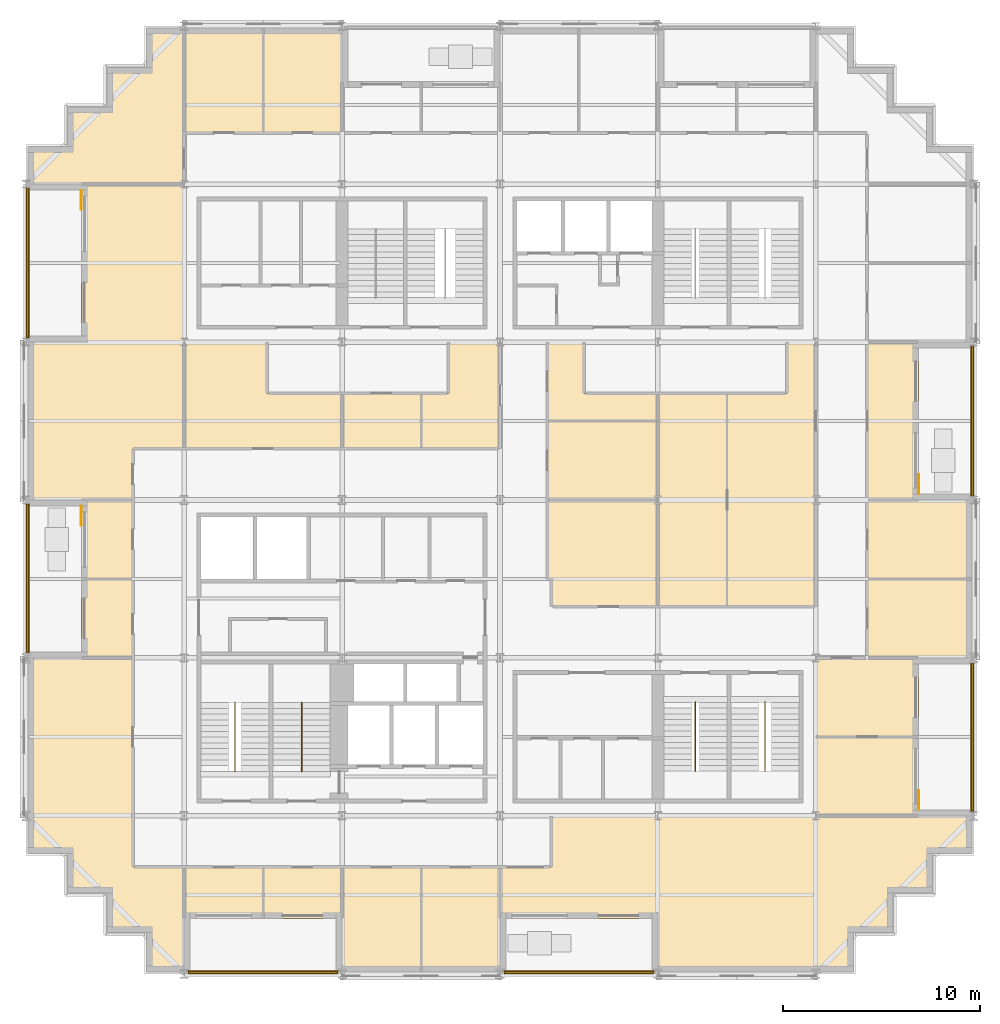
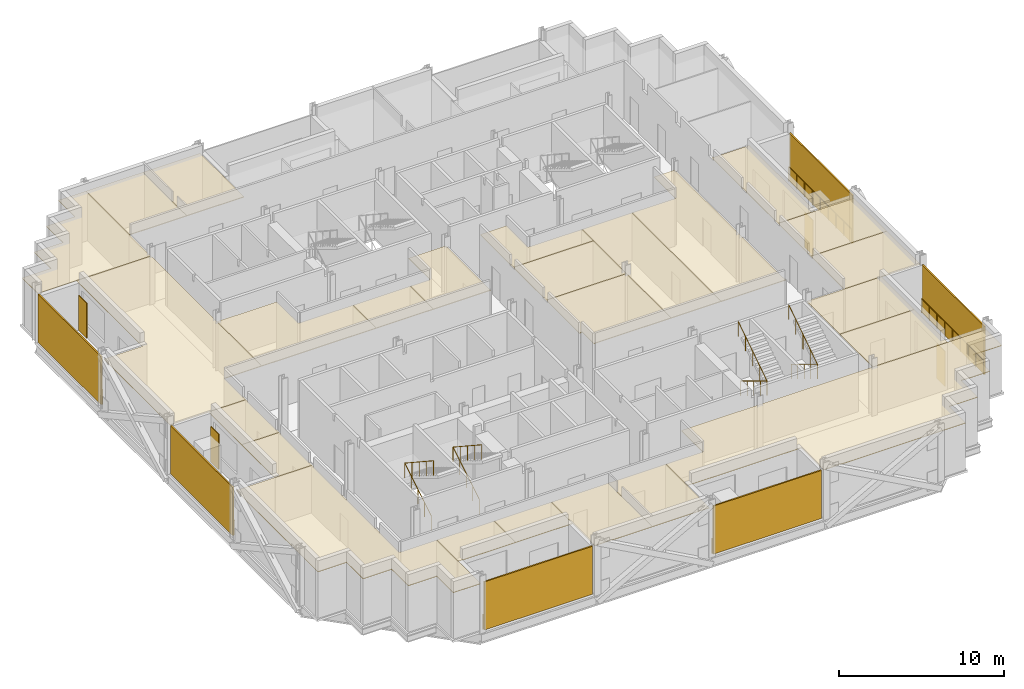
# One storey, part 13 of 15: 25 coverings, 10 railings, 10 shading devices.
"""IFC4 building model written with IfcOpenShell, lengths in metres."""

from ifc_helpers import new_model, si_unit, direction, frame, origin, origin_2d, place, context, subcontext, project, spatial, polyline, rectangle, circle, outline, extrude, material, layer, layer_set, type_object, element, save


model = new_model("IFC4")

# Units and contexts
model_context = context("Model", 3, precision=1e-05, world=origin(), true_north=direction((0.0, 1.0)))
body_context = subcontext(model_context, "Body", "Model", "MODEL_VIEW")
ifc_project = project(units=[si_unit("LENGTHUNIT", "METRE"), si_unit("AREAUNIT", "SQUARE_METRE"), si_unit("VOLUMEUNIT", "CUBIC_METRE"), si_unit("PLANEANGLEUNIT", "RADIAN"), si_unit("MASSUNIT", "GRAM", prefix="KILO")], contexts=[model_context])

# Site, building, storey
site_placement = place(None, origin())
site = spatial("IfcSite", under=ifc_project, at=site_placement, CompositionType="ELEMENT")
building_placement = place(site_placement, origin())
building = spatial("IfcBuilding", under=site, at=building_placement, Name="Immortelle Media Tower", CompositionType="ELEMENT")
storey_placement = place(building_placement, frame((0.0, 0.0, 105.199951171875)))
storey = spatial("IfcBuildingStorey", under=building, at=storey_placement, Name="L20", CompositionType="ELEMENT", Elevation=105.199951171875)

# Railings
ifc_material_1 = material(Name="Powder-coated aluminium fretwork panel, laminated glass backing", Category="aluminium")
railing_type_1 = type_object("IfcRailingType", Name="Fretwork balustrade 1100", PredefinedType="BALUSTRADE", material=ifc_material_1)
railing_1_placement = place(storey_placement, frame((0.139892578125, 39.806884765625, 0.0)))
element("IfcRailing", 1, at=railing_1_placement, inside=storey, type_object=railing_type_1, Name="Fretwork balustrade L20 W0", PredefinedType="BALUSTRADE", context=body_context, shape_type="SweptSolid", body=[
    extrude(circle(Radius=0.02490234375, at=origin_2d()), frame((0.0, 0.0, 1.0751953125), z_axis=(0.0, -1.0, 0.0), x_axis=(1.0, 0.0, 0.0)), (0.0, 0.0, 1.0), 7.598388671875),
    extrude(circle(Radius=0.02001953125, at=origin_2d()), origin(), (0.0, 0.0, 1.0), 1.050048828125),
    extrude(circle(Radius=0.02001953125, at=origin_2d()), frame((0.0, -0.94970703125, 0.0)), (0.0, 0.0, 1.0), 1.050048828125),
    extrude(circle(Radius=0.02001953125, at=origin_2d()), frame((0.0, -1.899658203125, 0.0)), (0.0, 0.0, 1.0), 1.050048828125),
    extrude(circle(Radius=0.02001953125, at=origin_2d()), frame((0.0, -2.849365234375, 0.0)), (0.0, 0.0, 1.0), 1.050048828125),
    extrude(circle(Radius=0.02001953125, at=origin_2d()), frame((0.0, -3.79931640625, 0.0)), (0.0, 0.0, 1.0), 1.050048828125),
    extrude(circle(Radius=0.02001953125, at=origin_2d()), frame((0.0, -4.7490234375, 0.0)), (0.0, 0.0, 1.0), 1.050048828125),
    extrude(circle(Radius=0.02001953125, at=origin_2d()), frame((0.0, -5.69873046875, 0.0)), (0.0, 0.0, 1.0), 1.050048828125),
    extrude(circle(Radius=0.02001953125, at=origin_2d()), frame((0.0, -6.648681640625, 0.0)), (0.0, 0.0, 1.0), 1.050048828125),
    extrude(circle(Radius=0.02001953125, at=origin_2d()), frame((0.0, -7.598388671875, 0.0)), (0.0, 0.0, 1.0), 1.050048828125),
])
railing_2_placement = place(storey_placement, frame((0.139892578125, 23.79150390625, 0.0)))
element("IfcRailing", 2, at=railing_2_placement, inside=storey, type_object=railing_type_1, Name="Fretwork balustrade L20 W2", PredefinedType="BALUSTRADE", context=body_context, shape_type="SweptSolid", body=[
    extrude(circle(Radius=0.02490234375, at=origin_2d()), frame((0.0, 0.0, 1.0751953125), z_axis=(0.0, -1.0, 0.0), x_axis=(1.0, 0.0, 0.0)), (0.0, 0.0, 1.0), 7.54248046875),
    extrude(circle(Radius=0.02001953125, at=origin_2d()), origin(), (0.0, 0.0, 1.0), 1.050048828125),
    extrude(circle(Radius=0.02001953125, at=origin_2d()), frame((0.0, -0.94287109375, 0.0)), (0.0, 0.0, 1.0), 1.050048828125),
    extrude(circle(Radius=0.02001953125, at=origin_2d()), frame((0.0, -1.8857421875, 0.0)), (0.0, 0.0, 1.0), 1.050048828125),
    extrude(circle(Radius=0.02001953125, at=origin_2d()), frame((0.0, -2.828369140625, 0.0)), (0.0, 0.0, 1.0), 1.050048828125),
    extrude(circle(Radius=0.02001953125, at=origin_2d()), frame((0.0, -3.771240234375, 0.0)), (0.0, 0.0, 1.0), 1.050048828125),
    extrude(circle(Radius=0.02001953125, at=origin_2d()), frame((0.0, -4.714111328125, 0.0)), (0.0, 0.0, 1.0), 1.050048828125),
    extrude(circle(Radius=0.02001953125, at=origin_2d()), frame((0.0, -5.65673828125, 0.0)), (0.0, 0.0, 1.0), 1.050048828125),
    extrude(circle(Radius=0.02001953125, at=origin_2d()), frame((0.0, -6.599609375, 0.0)), (0.0, 0.0, 1.0), 1.050048828125),
    extrude(circle(Radius=0.02001953125, at=origin_2d()), frame((0.0, -7.54248046875, 0.0)), (0.0, 0.0, 1.0), 1.050048828125),
])
railing_3_placement = place(storey_placement, frame((8.20947265625, 0.139892578125, 0.0)))
element("IfcRailing", 3, at=railing_3_placement, inside=storey, type_object=railing_type_1, Name="Fretwork balustrade L20 S0", PredefinedType="BALUSTRADE", context=body_context, shape_type="SweptSolid", body=[
    extrude(circle(Radius=0.02490234375, at=origin_2d()), frame((0.0, 0.0, 1.0751953125), z_axis=(1.0, 0.0, 0.0), x_axis=(0.0, 1.0, 0.0)), (0.0, 0.0, 1.0), 7.574462890625),
    extrude(circle(Radius=0.02001953125, at=origin_2d()), origin(), (0.0, 0.0, 1.0), 1.050048828125),
    extrude(circle(Radius=0.02001953125, at=origin_2d()), frame((0.94677734375, 0.0, 0.0)), (0.0, 0.0, 1.0), 1.050048828125),
    extrude(circle(Radius=0.02001953125, at=origin_2d()), frame((1.8935546875, 0.0, 0.0)), (0.0, 0.0, 1.0), 1.050048828125),
    extrude(circle(Radius=0.02001953125, at=origin_2d()), frame((2.84033203125, 0.0, 0.0)), (0.0, 0.0, 1.0), 1.050048828125),
    extrude(circle(Radius=0.02001953125, at=origin_2d()), frame((3.787109375, 0.0, 0.0)), (0.0, 0.0, 1.0), 1.050048828125),
    extrude(circle(Radius=0.02001953125, at=origin_2d()), frame((4.734130859375, 0.0, 0.0)), (0.0, 0.0, 1.0), 1.050048828125),
    extrude(circle(Radius=0.02001953125, at=origin_2d()), frame((5.680908203125, 0.0, 0.0)), (0.0, 0.0, 1.0), 1.050048828125),
    extrude(circle(Radius=0.02001953125, at=origin_2d()), frame((6.627685546875, 0.0, 0.0)), (0.0, 0.0, 1.0), 1.050048828125),
    extrude(circle(Radius=0.02001953125, at=origin_2d()), frame((7.574462890625, 0.0, 0.0)), (0.0, 0.0, 1.0), 1.050048828125),
])
railing_4_placement = place(storey_placement, frame((24.216064453125, 0.139892578125, 0.0)))
element("IfcRailing", 4, at=railing_4_placement, inside=storey, type_object=railing_type_1, Name="Fretwork balustrade L20 S2", PredefinedType="BALUSTRADE", context=body_context, shape_type="SweptSolid", body=[
    extrude(circle(Radius=0.02490234375, at=origin_2d()), frame((0.0, 0.0, 1.0751953125), z_axis=(1.0, 0.0, 0.0), x_axis=(0.0, 1.0, 0.0)), (0.0, 0.0, 1.0), 7.56787109375),
    extrude(circle(Radius=0.02001953125, at=origin_2d()), origin(), (0.0, 0.0, 1.0), 1.050048828125),
    extrude(circle(Radius=0.02001953125, at=origin_2d()), frame((0.946044921875, 0.0, 0.0)), (0.0, 0.0, 1.0), 1.050048828125),
    extrude(circle(Radius=0.02001953125, at=origin_2d()), frame((1.89208984375, 0.0, 0.0)), (0.0, 0.0, 1.0), 1.050048828125),
    extrude(circle(Radius=0.02001953125, at=origin_2d()), frame((2.837890625, 0.0, 0.0)), (0.0, 0.0, 1.0), 1.050048828125),
    extrude(circle(Radius=0.02001953125, at=origin_2d()), frame((3.783935546875, 0.0, 0.0)), (0.0, 0.0, 1.0), 1.050048828125),
    extrude(circle(Radius=0.02001953125, at=origin_2d()), frame((4.72998046875, 0.0, 0.0)), (0.0, 0.0, 1.0), 1.050048828125),
    extrude(circle(Radius=0.02001953125, at=origin_2d()), frame((5.67578125, 0.0, 0.0)), (0.0, 0.0, 1.0), 1.050048828125),
    extrude(circle(Radius=0.02001953125, at=origin_2d()), frame((6.621826171875, 0.0, 0.0)), (0.0, 0.0, 1.0), 1.050048828125),
    extrude(circle(Radius=0.02001953125, at=origin_2d()), frame((7.56787109375, 0.0, 0.0)), (0.0, 0.0, 1.0), 1.050048828125),
])
railing_5_placement = place(storey_placement, frame((47.860107421875, 8.2275390625, 0.0)))
element("IfcRailing", 5, at=railing_5_placement, inside=storey, type_object=railing_type_1, Name="Fretwork balustrade L20 E0", PredefinedType="BALUSTRADE", context=body_context, shape_type="SweptSolid", body=[
    extrude(circle(Radius=0.02490234375, at=origin_2d()), frame((0.0, 0.0, 1.0751953125), z_axis=(0.0, 1.0, 0.0), x_axis=(-1.0, 0.0, 0.0)), (0.0, 0.0, 1.0), 7.5234375),
    extrude(circle(Radius=0.02001953125, at=origin_2d()), origin(), (0.0, 0.0, 1.0), 1.050048828125),
    extrude(circle(Radius=0.02001953125, at=origin_2d()), frame((0.0, 0.9404296875, 0.0)), (0.0, 0.0, 1.0), 1.050048828125),
    extrude(circle(Radius=0.02001953125, at=origin_2d()), frame((0.0, 1.880859375, 0.0)), (0.0, 0.0, 1.0), 1.050048828125),
    extrude(circle(Radius=0.02001953125, at=origin_2d()), frame((0.0, 2.8212890625, 0.0)), (0.0, 0.0, 1.0), 1.050048828125),
    extrude(circle(Radius=0.02001953125, at=origin_2d()), frame((0.0, 3.76171875, 0.0)), (0.0, 0.0, 1.0), 1.050048828125),
    extrude(circle(Radius=0.02001953125, at=origin_2d()), frame((0.0, 4.7021484375, 0.0)), (0.0, 0.0, 1.0), 1.050048828125),
    extrude(circle(Radius=0.02001953125, at=origin_2d()), frame((0.0, 5.642578125, 0.0)), (0.0, 0.0, 1.0), 1.050048828125),
    extrude(circle(Radius=0.02001953125, at=origin_2d()), frame((0.0, 6.5830078125, 0.0)), (0.0, 0.0, 1.0), 1.050048828125),
    extrude(circle(Radius=0.02001953125, at=origin_2d()), frame((0.0, 7.5234375, 0.0)), (0.0, 0.0, 1.0), 1.050048828125),
])
railing_6_placement = place(storey_placement, frame((47.860107421875, 24.193115234375, 0.0)))
element("IfcRailing", 6, at=railing_6_placement, inside=storey, type_object=railing_type_1, Name="Fretwork balustrade L20 E2", PredefinedType="BALUSTRADE", context=body_context, shape_type="SweptSolid", body=[
    extrude(circle(Radius=0.02490234375, at=origin_2d()), frame((0.0, 0.0, 1.0751953125), z_axis=(0.0, 1.0, 0.0), x_axis=(-1.0, 0.0, 0.0)), (0.0, 0.0, 1.0), 7.61376953125),
    extrude(circle(Radius=0.02001953125, at=origin_2d()), origin(), (0.0, 0.0, 1.0), 1.050048828125),
    extrude(circle(Radius=0.02001953125, at=origin_2d()), frame((0.0, 0.95166015625, 0.0)), (0.0, 0.0, 1.0), 1.050048828125),
    extrude(circle(Radius=0.02001953125, at=origin_2d()), frame((0.0, 1.9033203125, 0.0)), (0.0, 0.0, 1.0), 1.050048828125),
    extrude(circle(Radius=0.02001953125, at=origin_2d()), frame((0.0, 2.855224609375, 0.0)), (0.0, 0.0, 1.0), 1.050048828125),
    extrude(circle(Radius=0.02001953125, at=origin_2d()), frame((0.0, 3.806884765625, 0.0)), (0.0, 0.0, 1.0), 1.050048828125),
    extrude(circle(Radius=0.02001953125, at=origin_2d()), frame((0.0, 4.758544921875, 0.0)), (0.0, 0.0, 1.0), 1.050048828125),
    extrude(circle(Radius=0.02001953125, at=origin_2d()), frame((0.0, 5.71044921875, 0.0)), (0.0, 0.0, 1.0), 1.050048828125),
    extrude(circle(Radius=0.02001953125, at=origin_2d()), frame((0.0, 6.662109375, 0.0)), (0.0, 0.0, 1.0), 1.050048828125),
    extrude(circle(Radius=0.02001953125, at=origin_2d()), frame((0.0, 7.61376953125, 0.0)), (0.0, 0.0, 1.0), 1.050048828125),
])

# Shading devices
ifc_material_2 = material(Name="Pale aluminium louvre blades", Category="aluminium")
ifc_layer_1 = layer(ifc_material_2, 0.10009765625)
ifc_layer_set_1 = layer_set([ifc_layer_1], Name="Pale aluminium louvre blades")
shading_device_type_1 = type_object("IfcShadingDeviceType", Name="Jalousie screen 100", PredefinedType="JALOUSIE", material=ifc_layer_set_1)
shading_device_1_placement = place(storey_placement, frame((0.050048828125, 36.0078125, 0.0), z_axis=(0.0, 0.0, 1.0), x_axis=(0.0, -1.0, 0.0)))
element("IfcShadingDevice", 7, at=shading_device_1_placement, inside=storey, type_object=shading_device_type_1, Name="Jalousie screen L20 W0", PredefinedType="JALOUSIE", context=body_context, shape_type="SweptSolid", body=[
    extrude(rectangle(XDim=7.598388671875, YDim=0.10009765625, at=origin_2d()), origin(), (0.0, 0.0, 1.0), 3.556884765625),
])
shading_device_2_placement = place(storey_placement, frame((0.050048828125, 20.020263671875, 0.0), z_axis=(0.0, 0.0, 1.0), x_axis=(0.0, -1.0, 0.0)))
element("IfcShadingDevice", 8, at=shading_device_2_placement, inside=storey, type_object=shading_device_type_1, Name="Jalousie screen L20 W2", PredefinedType="JALOUSIE", context=body_context, shape_type="SweptSolid", body=[
    extrude(rectangle(XDim=7.54248046875, YDim=0.10009765625, at=origin_2d()), origin(), (0.0, 0.0, 1.0), 3.556884765625),
])
shading_device_3_placement = place(storey_placement, frame((11.996826171875, 0.050048828125, 0.0), z_axis=(0.0, 0.0, 1.0), x_axis=(1.0, 0.0, 0.0)))
element("IfcShadingDevice", 9, at=shading_device_3_placement, inside=storey, type_object=shading_device_type_1, Name="Jalousie screen L20 S0", PredefinedType="JALOUSIE", context=body_context, shape_type="SweptSolid", body=[
    extrude(rectangle(XDim=7.574462890625, YDim=0.10009765625, at=origin_2d()), origin(), (0.0, 0.0, 1.0), 3.556884765625),
])
shading_device_4_placement = place(storey_placement, frame((28.0, 0.050048828125, 0.0), z_axis=(0.0, 0.0, 1.0), x_axis=(1.0, 0.0, 0.0)))
element("IfcShadingDevice", 10, at=shading_device_4_placement, inside=storey, type_object=shading_device_type_1, Name="Jalousie screen L20 S2", PredefinedType="JALOUSIE", context=body_context, shape_type="SweptSolid", body=[
    extrude(rectangle(XDim=7.568115234375, YDim=0.10009765625, at=origin_2d()), origin(), (0.0, 0.0, 1.0), 3.556884765625),
])
shading_device_5_placement = place(storey_placement, frame((47.949951171875, 11.9892578125, 0.0), z_axis=(0.0, 0.0, 1.0), x_axis=(0.0, 1.0, 0.0)))
element("IfcShadingDevice", 11, at=shading_device_5_placement, inside=storey, type_object=shading_device_type_1, Name="Jalousie screen L20 E0", PredefinedType="JALOUSIE", context=body_context, shape_type="SweptSolid", body=[
    extrude(rectangle(XDim=7.5234375, YDim=0.10009765625, at=origin_2d()), origin(), (0.0, 0.0, 1.0), 3.556884765625),
])
shading_device_6_placement = place(storey_placement, frame((47.949951171875, 28.0, 0.0), z_axis=(0.0, 0.0, 1.0), x_axis=(0.0, 1.0, 0.0)))
element("IfcShadingDevice", 12, at=shading_device_6_placement, inside=storey, type_object=shading_device_type_1, Name="Jalousie screen L20 E2", PredefinedType="JALOUSIE", context=body_context, shape_type="SweptSolid", body=[
    extrude(rectangle(XDim=7.614013671875, YDim=0.10009765625, at=origin_2d()), origin(), (0.0, 0.0, 1.0), 3.556884765625),
])
ifc_material_3 = material(Name="Pale aluminium louvre blades in a folding frame", Category="aluminium")
ifc_layer_2 = layer(ifc_material_3, 0.050048828125)
ifc_layer_set_2 = layer_set([ifc_layer_2], Name="Pale aluminium louvre blades in a folding frame")
shading_device_type_2 = type_object("IfcShadingDeviceType", Name="Louvred loggia shutter", PredefinedType="SHUTTER", material=ifc_layer_set_2)
for number, where, z_axis, x_axis, name in (
    (13, (2.77490234375, 39.199951171875, 0.0), (0.0, 0.0, 1.0), (0.0, -1.0, 0.0), "Loggia shutter L20 W0"),
    (14, (2.77490234375, 23.199951171875, 0.0), (0.0, 0.0, 1.0), (0.0, -1.0, 0.0), "Loggia shutter L20 W2"),
    (15, (45.22509765625, 8.800048828125, 0.0), (0.0, 0.0, 1.0), (0.0, 1.0, 0.0), "Loggia shutter L20 E0"),
    (16, (45.22509765625, 24.800048828125, 0.0), (0.0, 0.0, 1.0), (0.0, 1.0, 0.0), "Loggia shutter L20 E2"),
):
    element("IfcShadingDevice", number, at=place(storey_placement, frame(where, z_axis=z_axis, x_axis=x_axis)), inside=storey, type_object=shading_device_type_2, Name=name, PredefinedType="SHUTTER", context=body_context, shape_type="SweptSolid", body=[
        extrude(rectangle(XDim=1.0, YDim=0.050048828125, at=origin_2d()), origin(), (0.0, 0.0, 1.0), 2.60009765625),
    ])

# Railings
ifc_material_4 = material(Name="Stainless steel AISI 316", Category="steel")
railing_type_2 = type_object("IfcRailingType", Name="Stair guard 1100", PredefinedType="GUARDRAIL", material=ifc_material_4)
for number, where, name in (
    (17, (10.574951171875, 10.5400390625, 0.176025390625), "Stair guard SW1"),
    (18, (13.949951171875, 10.5400390625, 0.176025390625), "Stair guard SW2"),
):
    element("IfcRailing", number, at=place(storey_placement, frame(where)), inside=storey, type_object=railing_type_2, Name=name, PredefinedType="GUARDRAIL", context=body_context, shape_type="SweptSolid", body=[
        extrude(circle(Radius=0.02392578125, at=origin_2d()), frame((0.0, 0.0, 1.076171875), z_axis=(0.0, 0.854872504309, 0.518838126371), x_axis=(-1.0, 0.0, 0.0)), (0.0, 0.0, 1.0), 3.7314453125),
        extrude(circle(Radius=0.02392578125, at=origin_2d()), frame((0.0, 3.18994140625, 3.01220703125), z_axis=(0.0, -0.835568629342, 0.549386080693), x_axis=(1.0, 0.0, 0.0)), (0.0, 0.0, 1.0), 4.164794921875),
        extrude(circle(Radius=0.02099609375, at=origin_2d()), origin(), (0.0, 0.0, 1.0), 1.052001953125),
        extrude(circle(Radius=0.02099609375, at=origin_2d()), frame((0.0, 0.79736328125, 0.48388671875)), (0.0, 0.0, 1.0), 1.052001953125),
        extrude(circle(Radius=0.02099609375, at=origin_2d()), frame((0.0, 1.594970703125, 0.968017578125)), (0.0, 0.0, 1.0), 1.052001953125),
        extrude(circle(Radius=0.02099609375, at=origin_2d()), frame((0.0, 2.392578125, 1.4521484375)), (0.0, 0.0, 1.0), 1.052001953125),
        extrude(circle(Radius=0.02099609375, at=origin_2d()), frame((0.0, 3.18994140625, 1.93603515625)), (0.0, 0.0, 1.0), 1.052001953125),
        extrude(circle(Radius=0.02099609375, at=origin_2d()), frame((0.0, 2.31982421875, 2.508056640625)), (0.0, 0.0, 1.0), 1.052001953125),
        extrude(circle(Radius=0.02099609375, at=origin_2d()), frame((0.0, 1.449951171875, 3.080078125)), (0.0, 0.0, 1.0), 1.052001953125),
        extrude(circle(Radius=0.02099609375, at=origin_2d()), frame((0.0, 0.580078125, 3.652099609375)), (0.0, 0.0, 1.0), 1.052001953125),
        extrude(circle(Radius=0.02099609375, at=origin_2d()), frame((0.0, -0.2900390625, 4.22412109375)), (0.0, 0.0, 1.0), 1.052001953125),
    ])
for number, where, name in (
    (19, (33.89990234375, 13.4599609375, 0.176025390625), "Stair guard SE1"),
    (20, (37.425048828125, 13.4599609375, 0.176025390625), "Stair guard SE2"),
):
    element("IfcRailing", number, at=place(storey_placement, frame(where)), inside=storey, type_object=railing_type_2, Name=name, PredefinedType="GUARDRAIL", context=body_context, shape_type="SweptSolid", body=[
        extrude(circle(Radius=0.02392578125, at=origin_2d()), frame((0.0, 0.0, 1.076171875), z_axis=(0.0, -0.854872504309, 0.518838126371), x_axis=(1.0, 0.0, 0.0)), (0.0, 0.0, 1.0), 3.7314453125),
        extrude(circle(Radius=0.02392578125, at=origin_2d()), frame((0.0, -3.18994140625, 3.01220703125), z_axis=(0.0, 0.835568629342, 0.549386080693), x_axis=(-1.0, 0.0, 0.0)), (0.0, 0.0, 1.0), 4.164794921875),
        extrude(circle(Radius=0.02099609375, at=origin_2d()), origin(), (0.0, 0.0, 1.0), 1.052001953125),
        extrude(circle(Radius=0.02099609375, at=origin_2d()), frame((0.0, -0.79736328125, 0.48388671875)), (0.0, 0.0, 1.0), 1.052001953125),
        extrude(circle(Radius=0.02099609375, at=origin_2d()), frame((0.0, -1.594970703125, 0.968017578125)), (0.0, 0.0, 1.0), 1.052001953125),
        extrude(circle(Radius=0.02099609375, at=origin_2d()), frame((0.0, -2.392578125, 1.4521484375)), (0.0, 0.0, 1.0), 1.052001953125),
        extrude(circle(Radius=0.02099609375, at=origin_2d()), frame((0.0, -3.18994140625, 1.93603515625)), (0.0, 0.0, 1.0), 1.052001953125),
        extrude(circle(Radius=0.02099609375, at=origin_2d()), frame((0.0, -2.31982421875, 2.508056640625)), (0.0, 0.0, 1.0), 1.052001953125),
        extrude(circle(Radius=0.02099609375, at=origin_2d()), frame((0.0, -1.449951171875, 3.080078125)), (0.0, 0.0, 1.0), 1.052001953125),
        extrude(circle(Radius=0.02099609375, at=origin_2d()), frame((0.0, -0.580078125, 3.652099609375)), (0.0, 0.0, 1.0), 1.052001953125),
        extrude(circle(Radius=0.02099609375, at=origin_2d()), frame((0.0, 0.2900390625, 4.22412109375)), (0.0, 0.0, 1.0), 1.052001953125),
    ])

# Coverings
ifc_material_5 = material(Name="Mineral fibre tile ceiling")
ifc_layer_3 = layer(ifc_material_5, 0.050048828125)
ifc_layer_set_3 = layer_set([ifc_layer_3], Name="Mineral fibre tile ceiling")
covering_type = type_object("IfcCoveringType", Name="Suspended ceiling 50", PredefinedType="CEILING", material=ifc_layer_set_3)
covering_1_placement = place(storey_placement, frame((0.0, 0.0, 3.420166015625)))
element("IfcCovering", 21, at=covering_1_placement, inside=storey, type_object=covering_type, Name="Ceiling L20-001", PredefinedType="CEILING", context=body_context, shape_type="SweptSolid", body=[
    extrude(outline(polyline([(16.0, 2.800048828125), (16.0, 5.39990234375), (20.0, 5.39990234375), (20.0, 0.10009765625), (16.0, 0.10009765625), (16.0, 2.800048828125)])), origin(), (0.0, 0.0, 1.0), 0.0498046875),
])
covering_2_placement = place(storey_placement, frame((0.0, 0.0, 3.420166015625)))
element("IfcCovering", 22, at=covering_2_placement, inside=storey, type_object=covering_type, Name="Ceiling L20-002", PredefinedType="CEILING", context=body_context, shape_type="SweptSolid", body=[
    extrude(outline(polyline([(24.0, 5.39990234375), (24.0, 2.800048828125), (24.0, 0.10009765625), (20.0, 0.10009765625), (20.0, 5.39990234375), (24.0, 5.39990234375)])), origin(), (0.0, 0.0, 1.0), 0.0498046875),
])
covering_3_placement = place(storey_placement, frame((0.0, 0.0, 3.420166015625)))
element("IfcCovering", 23, at=covering_3_placement, inside=storey, type_object=covering_type, Name="Ceiling L20-003", PredefinedType="CEILING", context=body_context, shape_type="SweptSolid", body=[
    extrude(outline(polyline([(8.0, 5.39990234375), (12.0, 5.39990234375), (12.0, 2.800048828125), (8.0, 2.800048828125), (8.0, 5.39990234375)])), origin(), (0.0, 0.0, 1.0), 0.0498046875),
])
covering_4_placement = place(storey_placement, frame((0.0, 0.0, 3.420166015625)))
element("IfcCovering", 24, at=covering_4_placement, inside=storey, type_object=covering_type, Name="Ceiling L20-004", PredefinedType="CEILING", context=body_context, shape_type="SweptSolid", body=[
    extrude(outline(polyline([(16.0, 5.39990234375), (16.0, 2.800048828125), (12.0, 2.800048828125), (12.0, 5.39990234375), (16.0, 5.39990234375)])), origin(), (0.0, 0.0, 1.0), 0.0498046875),
])
covering_5_placement = place(storey_placement, frame((0.0, 0.0, 3.420166015625)))
element("IfcCovering", 25, at=covering_5_placement, inside=storey, type_object=covering_type, Name="Ceiling L20-005", PredefinedType="CEILING", context=body_context, shape_type="SweptSolid", body=[
    extrude(outline(polyline([(24.0, 2.800048828125), (24.0, 5.39990234375), (26.60009765625, 5.39990234375), (26.60009765625, 8.0), (32.0, 8.0), (40.0, 8.0), (45.199951171875, 8.0), (47.89990234375, 8.0), (47.89990234375, 6.10009765625), (45.89990234375, 6.10009765625), (45.89990234375, 4.10009765625), (43.89990234375, 4.10009765625), (43.89990234375, 2.10009765625), (41.89990234375, 2.10009765625), (41.89990234375, 0.10009765625), (40.0, 0.10009765625), (32.0, 0.10009765625), (32.0, 2.800048828125), (24.0, 2.800048828125)])), origin(), (0.0, 0.0, 1.0), 0.0498046875),
])
covering_6_placement = place(storey_placement, frame((0.0, 0.0, 3.420166015625)))
element("IfcCovering", 26, at=covering_6_placement, inside=storey, type_object=covering_type, Name="Ceiling L20-006", PredefinedType="CEILING", context=body_context, shape_type="SweptSolid", body=[
    extrude(outline(polyline([(4.10009765625, 4.0), (4.10009765625, 4.10009765625), (2.10009765625, 4.10009765625), (2.10009765625, 6.10009765625), (0.10009765625, 6.10009765625), (0.10009765625, 8.0), (0.10009765625, 16.0), (2.800048828125, 16.0), (5.39990234375, 16.0), (5.39990234375, 8.0), (5.39990234375, 5.39990234375), (8.0, 5.39990234375), (8.0, 4.0), (8.0, 2.800048828125), (8.0, 0.10009765625), (6.10009765625, 0.10009765625), (6.10009765625, 2.10009765625), (4.10009765625, 2.10009765625), (4.10009765625, 4.0)])), origin(), (0.0, 0.0, 1.0), 0.0498046875),
])
covering_7_placement = place(storey_placement, frame((0.0, 0.0, 3.420166015625)))
element("IfcCovering", 27, at=covering_7_placement, inside=storey, type_object=covering_type, Name="Ceiling L20-007", PredefinedType="CEILING", context=body_context, shape_type="SweptSolid", body=[
    extrude(outline(polyline([(40.0, 16.0), (42.60009765625, 16.0), (45.199951171875, 16.0), (45.199951171875, 12.0), (40.0, 12.0), (40.0, 16.0)])), origin(), (0.0, 0.0, 1.0), 0.0498046875),
])
covering_8_placement = place(storey_placement, frame((0.0, 0.0, 3.420166015625)))
element("IfcCovering", 28, at=covering_8_placement, inside=storey, type_object=covering_type, Name="Ceiling L20-008", PredefinedType="CEILING", context=body_context, shape_type="SweptSolid", body=[
    extrude(outline(polyline([(40.0, 8.0), (40.0, 12.0), (45.199951171875, 12.0), (45.199951171875, 8.0), (40.0, 8.0)])), origin(), (0.0, 0.0, 1.0), 0.0498046875),
])
covering_9_placement = place(storey_placement, frame((0.0, 0.0, 3.420166015625)))
element("IfcCovering", 29, at=covering_9_placement, inside=storey, type_object=covering_type, Name="Ceiling L20-009", PredefinedType="CEILING", context=body_context, shape_type="SweptSolid", body=[
    extrude(outline(polyline([(5.39990234375, 16.0), (2.800048828125, 16.0), (2.800048828125, 20.0), (5.39990234375, 20.0), (5.39990234375, 19.449951171875), (5.39990234375, 16.0)])), origin(), (0.0, 0.0, 1.0), 0.0498046875),
])
covering_10_placement = place(storey_placement, frame((0.0, 0.0, 3.420166015625)))
element("IfcCovering", 30, at=covering_10_placement, inside=storey, type_object=covering_type, Name="Ceiling L20-010", PredefinedType="CEILING", context=body_context, shape_type="SweptSolid", body=[
    extrude(outline(polyline([(2.800048828125, 24.0), (5.39990234375, 24.0), (5.39990234375, 20.0), (2.800048828125, 20.0), (2.800048828125, 24.0)])), origin(), (0.0, 0.0, 1.0), 0.0498046875),
])
covering_11_placement = place(storey_placement, frame((0.0, 0.0, 3.420166015625)))
element("IfcCovering", 31, at=covering_11_placement, inside=storey, type_object=covering_type, Name="Ceiling L20-011", PredefinedType="CEILING", context=body_context, shape_type="SweptSolid", body=[
    extrude(outline(polyline([(42.60009765625, 16.0), (42.60009765625, 20.0), (47.89990234375, 20.0), (47.89990234375, 16.0), (45.199951171875, 16.0), (42.60009765625, 16.0)])), origin(), (0.0, 0.0, 1.0), 0.0498046875),
])
covering_12_placement = place(storey_placement, frame((0.0, 0.0, 3.420166015625)))
element("IfcCovering", 32, at=covering_12_placement, inside=storey, type_object=covering_type, Name="Ceiling L20-012", PredefinedType="CEILING", context=body_context, shape_type="SweptSolid", body=[
    extrude(outline(polyline([(42.60009765625, 24.0), (45.199951171875, 24.0), (47.89990234375, 24.0), (47.89990234375, 20.0), (42.60009765625, 20.0), (42.60009765625, 24.0)])), origin(), (0.0, 0.0, 1.0), 0.0498046875),
])
covering_13_placement = place(storey_placement, frame((0.0, 0.0, 3.420166015625)))
element("IfcCovering", 33, at=covering_13_placement, inside=storey, type_object=covering_type, Name="Ceiling L20-013", PredefinedType="CEILING", context=body_context, shape_type="SweptSolid", body=[
    extrude(outline(polyline([(32.0, 18.60009765625), (27.0, 18.60009765625), (26.60009765625, 18.60009765625), (26.60009765625, 20.0), (26.39990234375, 20.0), (26.39990234375, 24.0), (32.0, 24.0), (32.0, 18.60009765625)])), origin(), (0.0, 0.0, 1.0), 0.0498046875),
])
covering_14_placement = place(storey_placement, frame((0.0, 0.0, 3.420166015625)))
element("IfcCovering", 34, at=covering_14_placement, inside=storey, type_object=covering_type, Name="Ceiling L20-014", PredefinedType="CEILING", context=body_context, shape_type="SweptSolid", body=[
    extrude(outline(polyline([(35.5, 18.60009765625), (35.5, 29.39990234375), (38.550048828125, 29.39990234375), (38.550048828125, 32.0), (40.0, 32.0), (40.0, 24.0), (40.0, 18.60009765625), (38.550048828125, 18.60009765625), (36.0, 18.60009765625), (35.5, 18.60009765625)])), origin(), (0.0, 0.0, 1.0), 0.0498046875),
])
covering_15_placement = place(storey_placement, frame((0.0, 0.0, 3.420166015625)))
element("IfcCovering", 35, at=covering_15_placement, inside=storey, type_object=covering_type, Name="Ceiling L20-015", PredefinedType="CEILING", context=body_context, shape_type="SweptSolid", body=[
    extrude(outline(polyline([(32.0, 18.60009765625), (32.0, 24.0), (32.0, 29.39990234375), (35.5, 29.39990234375), (35.5, 18.60009765625), (32.0, 18.60009765625)])), origin(), (0.0, 0.0, 1.0), 0.0498046875),
])
covering_16_placement = place(storey_placement, frame((0.0, 0.0, 3.420166015625)))
element("IfcCovering", 36, at=covering_16_placement, inside=storey, type_object=covering_type, Name="Ceiling L20-016", PredefinedType="CEILING", context=body_context, shape_type="SweptSolid", body=[
    extrude(outline(polyline([(26.39990234375, 28.0), (32.0, 28.0), (32.0, 24.0), (26.39990234375, 24.0), (26.39990234375, 28.0)])), origin(), (0.0, 0.0, 1.0), 0.0498046875),
])
covering_17_placement = place(storey_placement, frame((0.0, 0.0, 3.420166015625)))
element("IfcCovering", 37, at=covering_17_placement, inside=storey, type_object=covering_type, Name="Ceiling L20-017", PredefinedType="CEILING", context=body_context, shape_type="SweptSolid", body=[
    extrude(outline(polyline([(26.39990234375, 32.0), (28.25, 32.0), (28.25, 29.39990234375), (32.0, 29.39990234375), (32.0, 28.0), (26.39990234375, 28.0), (26.39990234375, 32.0)])), origin(), (0.0, 0.0, 1.0), 0.0498046875),
])
covering_18_placement = place(storey_placement, frame((0.0, 0.0, 3.420166015625)))
element("IfcCovering", 38, at=covering_18_placement, inside=storey, type_object=covering_type, Name="Ceiling L20-018", PredefinedType="CEILING", context=body_context, shape_type="SweptSolid", body=[
    extrude(outline(polyline([(45.199951171875, 24.0), (42.60009765625, 24.0), (42.60009765625, 32.0), (45.199951171875, 32.0), (45.199951171875, 24.0)])), origin(), (0.0, 0.0, 1.0), 0.0498046875),
])
covering_19_placement = place(storey_placement, frame((0.0, 0.0, 3.420166015625)))
element("IfcCovering", 39, at=covering_19_placement, inside=storey, type_object=covering_type, Name="Ceiling L20-019", PredefinedType="CEILING", context=body_context, shape_type="SweptSolid", body=[
    extrude(outline(polyline([(16.0, 29.39990234375), (20.0, 29.39990234375), (20.0, 26.60009765625), (16.0, 26.60009765625), (16.0, 29.39990234375)])), origin(), (0.0, 0.0, 1.0), 0.0498046875),
])
covering_20_placement = place(storey_placement, frame((0.0, 0.0, 3.420166015625)))
element("IfcCovering", 40, at=covering_20_placement, inside=storey, type_object=covering_type, Name="Ceiling L20-020", PredefinedType="CEILING", context=body_context, shape_type="SweptSolid", body=[
    extrude(outline(polyline([(21.39990234375, 29.39990234375), (21.39990234375, 32.0), (24.0, 32.0), (24.0, 26.60009765625), (20.0, 26.60009765625), (20.0, 29.39990234375), (21.39990234375, 29.39990234375)])), origin(), (0.0, 0.0, 1.0), 0.0498046875),
])
covering_21_placement = place(storey_placement, frame((0.0, 0.0, 3.420166015625)))
element("IfcCovering", 41, at=covering_21_placement, inside=storey, type_object=covering_type, Name="Ceiling L20-021", PredefinedType="CEILING", context=body_context, shape_type="SweptSolid", body=[
    extrude(outline(polyline([(8.0, 26.60009765625), (8.0, 32.0), (12.199951171875, 32.0), (12.199951171875, 29.39990234375), (16.0, 29.39990234375), (16.0, 26.60009765625), (8.0, 26.60009765625)])), origin(), (0.0, 0.0, 1.0), 0.0498046875),
])
covering_22_placement = place(storey_placement, frame((0.0, 0.0, 3.420166015625)))
element("IfcCovering", 42, at=covering_22_placement, inside=storey, type_object=covering_type, Name="Ceiling L20-022", PredefinedType="CEILING", context=body_context, shape_type="SweptSolid", body=[
    extrude(outline(polyline([(0.10009765625, 24.0), (0.10009765625, 32.0), (2.800048828125, 32.0), (2.800048828125, 36.0), (2.800048828125, 40.0), (8.0, 40.0), (8.0, 36.0), (8.0, 32.0), (8.0, 26.60009765625), (5.39990234375, 26.60009765625), (5.39990234375, 24.0), (2.800048828125, 24.0), (0.10009765625, 24.0)])), origin(), (0.0, 0.0, 1.0), 0.0498046875),
])
covering_23_placement = place(storey_placement, frame((0.0, 0.0, 3.420166015625)))
element("IfcCovering", 43, at=covering_23_placement, inside=storey, type_object=covering_type, Name="Ceiling L20-025", PredefinedType="CEILING", context=body_context, shape_type="SweptSolid", body=[
    extrude(outline(polyline([(0.10009765625, 41.89990234375), (2.10009765625, 41.89990234375), (2.10009765625, 43.89990234375), (4.10009765625, 43.89990234375), (4.10009765625, 44.0), (4.10009765625, 45.89990234375), (6.10009765625, 45.89990234375), (6.10009765625, 47.89990234375), (8.0, 47.89990234375), (8.0, 44.0), (8.0, 42.60009765625), (8.0, 40.0), (2.800048828125, 40.0), (0.10009765625, 40.0), (0.10009765625, 41.89990234375)])), origin(), (0.0, 0.0, 1.0), 0.0498046875),
])
covering_24_placement = place(storey_placement, frame((0.0, 0.0, 3.420166015625)))
element("IfcCovering", 44, at=covering_24_placement, inside=storey, type_object=covering_type, Name="Ceiling L20-031", PredefinedType="CEILING", context=body_context, shape_type="SweptSolid", body=[
    extrude(outline(polyline([(8.0, 47.89990234375), (12.0, 47.89990234375), (12.0, 42.60009765625), (8.0, 42.60009765625), (8.0, 47.89990234375)])), origin(), (0.0, 0.0, 1.0), 0.0498046875),
])
covering_25_placement = place(storey_placement, frame((0.0, 0.0, 3.420166015625)))
element("IfcCovering", 45, at=covering_25_placement, inside=storey, type_object=covering_type, Name="Ceiling L20-032", PredefinedType="CEILING", context=body_context, shape_type="SweptSolid", body=[
    extrude(outline(polyline([(16.0, 47.89990234375), (16.0, 45.199951171875), (16.0, 42.60009765625), (12.0, 42.60009765625), (12.0, 47.89990234375), (16.0, 47.89990234375)])), origin(), (0.0, 0.0, 1.0), 0.0498046875),
])

save(model, "model.ifc")
